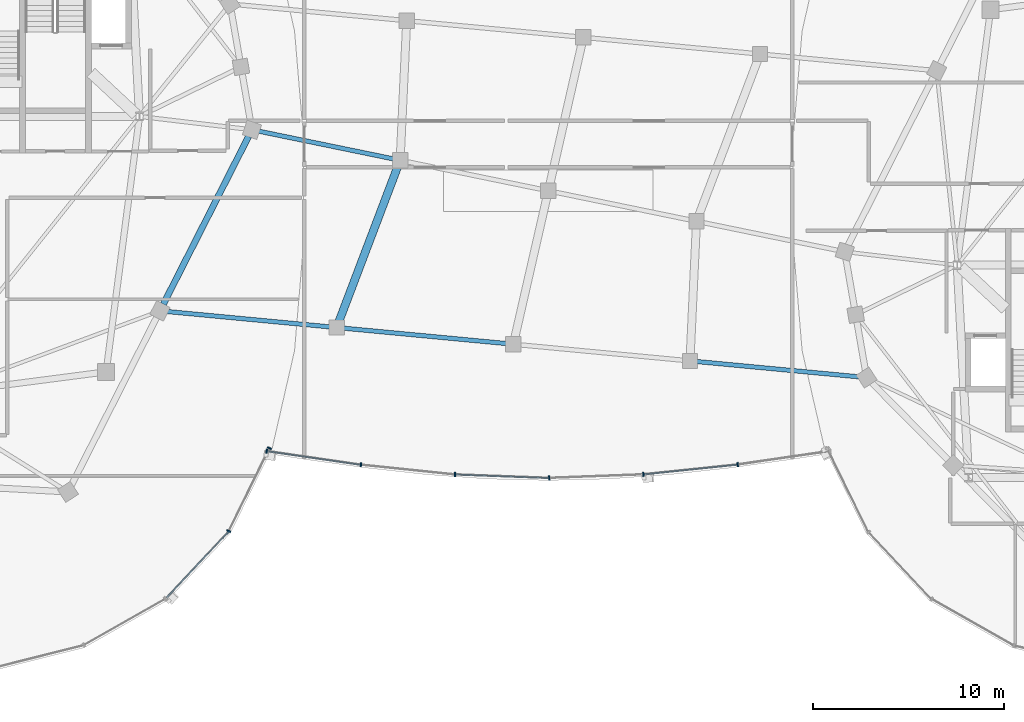
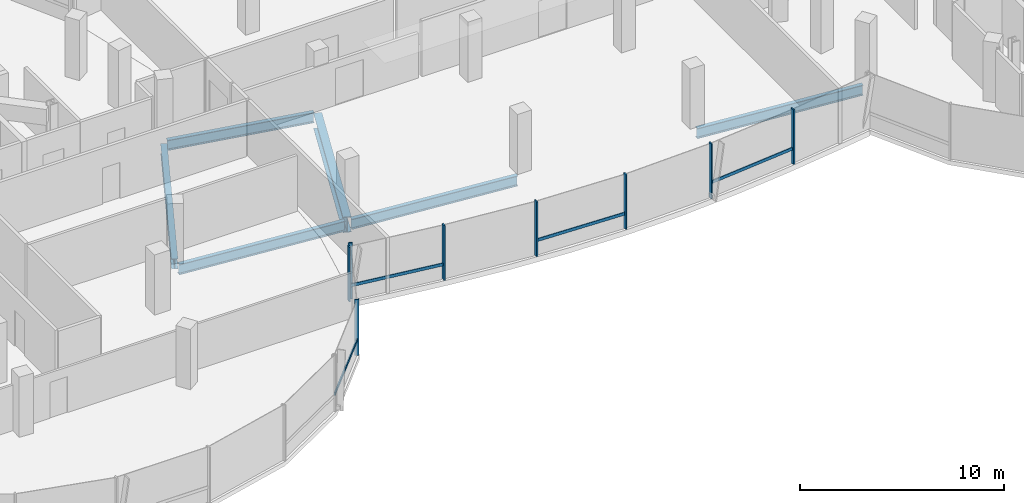
# One storey, part 4 of 26: 12 members, 6 beams, 2 elements without a shape of their own.
"""IFC4 building model written with IfcOpenShell, lengths in metres."""

from ifc_helpers import new_model, si_unit, direction, frame, origin, origin_2d, place, context, subcontext, project, spatial, rectangle, i_section, extrude, material, material_profile, profile_set, type_object, element, aggregate, save


model = new_model("IFC4")

# Units and contexts
model_context = context("Model", 3, precision=1e-05, world=origin(), true_north=direction((0.0, 1.0)))
body_context = subcontext(model_context, "Body", "Model", "MODEL_VIEW")
ifc_project = project(units=[si_unit("LENGTHUNIT", "METRE"), si_unit("AREAUNIT", "SQUARE_METRE"), si_unit("VOLUMEUNIT", "CUBIC_METRE"), si_unit("PLANEANGLEUNIT", "RADIAN"), si_unit("MASSUNIT", "GRAM", prefix="KILO"), si_unit("THERMODYNAMICTEMPERATUREUNIT", "KELVIN"), si_unit("POWERUNIT", "WATT")], contexts=[model_context])

# Site, building, storey
site_placement = place(None, origin())
site = spatial("IfcSite", under=ifc_project, at=site_placement, CompositionType="ELEMENT")
building_placement = place(site_placement, origin())
building = spatial("IfcBuilding", under=site, at=building_placement, Name="Cundina Bronze Exchange", CompositionType="ELEMENT")
storey_placement = place(building_placement, frame((0.0, 0.0, 264.800048828125)))
storey = spatial("IfcBuildingStorey", under=building, at=storey_placement, Name="L70", CompositionType="ELEMENT", Elevation=264.800048828125)

# Beams
ifc_material_1 = material(Name="Steel ASTM A992 Grade 50", Category="steel")
ifc_material_profile_1 = material_profile(ifc_material_1, i_section(OverallWidth=0.22998046875, OverallDepth=0.616943359375, WebThickness=0.01318359375, FlangeThickness=0.022216796875, FilletRadius=0.013916015625, at=origin_2d()), Name="W24X94", Category="steel")
ifc_profile_set_1 = profile_set([ifc_material_profile_1], Name="Steel ASTM A992 Grade 50")
beam_type_1 = type_object("IfcBeamType", Name="BM-FLR-W24B", PredefinedType="BEAM", material=ifc_profile_set_1)
for number, where, z_axis, x_axis, name in (
    (1, (-20.19580078125, -6.31689453125, -0.628662109375), (0.995572136276, -0.094000646124, 0.0), (0.094000646124, 0.995572136276, 0.0), "L70 Sky-Gate Longitudinal Girder Y1-P1"),
    (2, (-10.927001953125, -7.19189453125, -0.628662109375), (0.995572136276, -0.094000646124, 0.0), (0.094000646124, 0.995572136276, 0.0), "L70 Sky-Gate Longitudinal Girder Y1-P2"),
):
    element("IfcBeam", number, at=place(storey_placement, frame(where, z_axis=z_axis, x_axis=x_axis)), inside=storey, type_object=beam_type_1, Name=name, PredefinedType="BEAM", context=body_context, shape_type="SweptSolid", body=[
        extrude(i_section(OverallWidth=0.22998046875, OverallDepth=0.616943359375, WebThickness=0.01318359375, FlangeThickness=0.022216796875, FilletRadius=0.013916015625, at=origin_2d()), origin(), (0.0, 0.0, 1.0), 8.949951171875),
    ])
beam_1_placement = place(storey_placement, frame((7.610595703125, -8.94189453125, -0.628662109375), z_axis=(0.995571895232, -0.094003199007, 0.0), x_axis=(0.094003199007, 0.995571895232, 0.0)))
element("IfcBeam", 3, at=beam_1_placement, inside=storey, type_object=beam_type_1, Name="L70 Sky-Gate Longitudinal Girder Y1-P4", PredefinedType="BEAM", context=body_context, shape_type="SweptSolid", body=[
    extrude(i_section(OverallWidth=0.22998046875, OverallDepth=0.616943359375, WebThickness=0.01318359375, FlangeThickness=0.022216796875, FilletRadius=0.013916015625, at=origin_2d()), origin(), (0.0, 0.0, 1.0), 8.94970703125),
])
beam_2_placement = place(storey_placement, frame((-15.373779296875, 3.163818359375, -0.628662109375), z_axis=(0.979471264571, -0.20158383338, 0.0), x_axis=(0.20158383338, 0.979471264571, 0.0)))
element("IfcBeam", 4, at=beam_2_placement, inside=storey, type_object=beam_type_1, Name="L70 Sky-Gate Longitudinal Girder Y2-P1", PredefinedType="BEAM", context=body_context, shape_type="SweptSolid", body=[
    extrude(i_section(OverallWidth=0.22998046875, OverallDepth=0.616943359375, WebThickness=0.01318359375, FlangeThickness=0.022216796875, FilletRadius=0.013916015625, at=origin_2d()), origin(), (0.0, 0.0, 1.0), 7.577880859375),
])
ifc_material_profile_2 = material_profile(ifc_material_1, i_section(OverallWidth=0.324951171875, OverallDepth=0.615966796875, WebThickness=0.013916015625, FlangeThickness=0.021484375, FilletRadius=0.01611328125, at=origin_2d()), Name="W24X117", Category="steel")
ifc_profile_set_2 = profile_set([ifc_material_profile_2], Name="Steel ASTM A992 Grade 50")
beam_type_2 = type_object("IfcBeamType", Name="BM-RING-W24", PredefinedType="USERDEFINED", material=ifc_profile_set_2)
beam_3_placement = place(storey_placement, frame((-20.19921875, -5.9541015625, -0.568115234375), z_axis=(0.452839263805, 0.891592171991, 0.0), x_axis=(-0.891592171991, 0.452839263805, 0.0)))
element("IfcBeam", 5, at=beam_3_placement, inside=storey, type_object=beam_type_2, Name="L70 W Perimeter Ring Girder 13", ObjectType="GIRDER", PredefinedType="USERDEFINED", context=body_context, shape_type="SweptSolid", body=[
    extrude(i_section(OverallWidth=0.324951171875, OverallDepth=0.615966796875, WebThickness=0.013916015625, FlangeThickness=0.021484375, FilletRadius=0.01611328125, at=origin_2d()), origin(), (0.0, 0.0, 1.0), 9.879150390625),
])
ifc_material_profile_3 = material_profile(ifc_material_1, i_section(OverallWidth=0.41796875, OverallDepth=0.927001953125, WebThickness=0.019287109375, FlangeThickness=0.031982421875, FilletRadius=0.02392578125, at=origin_2d()), Name="W36X231", Category="steel")
ifc_profile_set_3 = profile_set([ifc_material_profile_3], Name="Steel ASTM A992 Grade 50")
beam_type_3 = type_object("IfcBeamType", Name="BM-WRN-W36B", PredefinedType="USERDEFINED", material=ifc_profile_set_3)
beam_4_placement = place(storey_placement, frame((-11.042236328125, -7.006591796875, -0.783447265625), z_axis=(0.354911890514, 0.934899753969, 0.0), x_axis=(-0.934899753969, 0.354911890514, 0.0)))
element("IfcBeam", 6, at=beam_4_placement, inside=storey, type_object=beam_type_3, Name="L70 Sky-Gate Transverse Girder X1-S", ObjectType="GIRDER", PredefinedType="USERDEFINED", context=body_context, shape_type="SweptSolid", body=[
    extrude(i_section(OverallWidth=0.41796875, OverallDepth=0.927001953125, WebThickness=0.019287109375, FlangeThickness=0.031982421875, FilletRadius=0.02392578125, at=origin_2d()), origin(), (0.0, 0.0, 1.0), 9.02587890625),
])

# Curtain wall, members
ifc_material_2 = material(Name="Anodised Bronze Aluminium 6063-T6", Category="aluminium")
curtain_wall_type = type_object("IfcCurtainWallType", Name="CWS-SKG-BRG", PredefinedType="NOTDEFINED", material=ifc_material_2)
curtain_wall_1_placement = place(storey_placement, origin())
curtain_wall_1 = element("IfcCurtainWall", 7, at=curtain_wall_1_placement, inside=storey, type_object=curtain_wall_type, Name="L70 CW-06 Curtain Wall Run CWR-L70-W4", PredefinedType="NOTDEFINED")
ifc_material_profile_4 = material_profile(ifc_material_2, rectangle(XDim=0.074951171875, YDim=0.219970703125, at=origin_2d()), Name="AL75X220", Category="aluminium")
ifc_profile_set_4 = profile_set([ifc_material_profile_4], Name="Anodised Bronze Aluminium 6063-T6")
member_type_1 = type_object("IfcMemberType", Name="CWM-MUL-220", PredefinedType="MULLION", material=ifc_profile_set_4)
member_1_placement = place(storey_placement, frame((-16.7666015625, -17.856689453125, 0.0), z_axis=(0.0, 0.0, 1.0), x_axis=(0.440566004113, 0.897720221461, 0.0)))
member_1 = element("IfcMember", 8, at=member_1_placement, type_object=member_type_1, Name="CW-06 Mullion 2", PredefinedType="MULLION", context=body_context, shape_type="SweptSolid", body=[
    extrude(rectangle(XDim=0.074951171875, YDim=0.219970703125, at=origin_2d()), origin(), (0.0, 0.0, 1.0), 3.33984375),
])
member_2_placement = place(storey_placement, frame((-14.630859375, -13.50390625, 0.0), z_axis=(0.0, 0.0, 1.0), x_axis=(0.440566004113, 0.897720221461, 0.0)))
member_2 = element("IfcMember", 9, at=member_2_placement, type_object=member_type_1, Name="CW-06 End Mullion", PredefinedType="MULLION", context=body_context, shape_type="SweptSolid", body=[
    extrude(rectangle(XDim=0.074951171875, YDim=0.219970703125, at=origin_2d()), origin(), (0.0, 0.0, 1.0), 3.33984375),
])

curtain_wall_2_placement = place(storey_placement, origin())
curtain_wall_2 = element("IfcCurtainWall", 10, at=curtain_wall_2_placement, inside=storey, type_object=curtain_wall_type, Name="L70 CW-06 Curtain Wall Run CWR-L70-BRGS", PredefinedType="NOTDEFINED")
member_3_placement = place(storey_placement, frame((-14.779296875, -13.658935546875, 0.0), z_axis=(0.0, 0.0, 1.0), x_axis=(0.989525789069, -0.144356201001, 0.0)))
member_3 = element("IfcMember", 11, at=member_3_placement, type_object=member_type_1, Name="CW-06 Mullion 1", PredefinedType="MULLION", context=body_context, shape_type="SweptSolid", body=[
    extrude(rectangle(XDim=0.074951171875, YDim=0.219970703125, at=origin_2d()), origin(), (0.0, 0.0, 1.0), 3.280029296875),
])
member_4_placement = place(storey_placement, frame((-9.83447265625, -14.378173828125, 0.0), z_axis=(0.0, 0.0, 1.0), x_axis=(0.994666875153, -0.103139747302, 0.0)))
member_4 = element("IfcMember", 12, at=member_4_placement, type_object=member_type_1, Name="CW-06 Mullion 2", PredefinedType="MULLION", context=body_context, shape_type="SweptSolid", body=[
    extrude(rectangle(XDim=0.074951171875, YDim=0.219970703125, at=origin_2d()), origin(), (0.0, 0.0, 1.0), 3.280029296875),
])
member_5_placement = place(storey_placement, frame((-4.892578125, -14.88720703125, 0.0), z_axis=(0.0, 0.0, 1.0), x_axis=(0.999302568116, -0.037341362551, 0.0)))
member_5 = element("IfcMember", 13, at=member_5_placement, type_object=member_type_1, Name="CW-06 Mullion 3", PredefinedType="MULLION", context=body_context, shape_type="SweptSolid", body=[
    extrude(rectangle(XDim=0.074951171875, YDim=0.219970703125, at=origin_2d()), origin(), (0.0, 0.0, 1.0), 3.280029296875),
])
member_6_placement = place(storey_placement, frame((0.047607421875, -15.068115234375, 0.0), z_axis=(0.0, 0.0, 1.0), x_axis=(0.999302568116, 0.037341362551, 0.0)))
member_6 = element("IfcMember", 14, at=member_6_placement, type_object=member_type_1, Name="CW-06 Mullion 4", PredefinedType="MULLION", context=body_context, shape_type="SweptSolid", body=[
    extrude(rectangle(XDim=0.074951171875, YDim=0.219970703125, at=origin_2d()), origin(), (0.0, 0.0, 1.0), 3.280029296875),
])
member_7_placement = place(storey_placement, frame((4.98876953125, -14.88037109375, 0.0), z_axis=(0.0, 0.0, 1.0), x_axis=(0.994666875153, 0.103139747302, 0.0)))
member_7 = element("IfcMember", 15, at=member_7_placement, type_object=member_type_1, Name="CW-06 Mullion 5", PredefinedType="MULLION", context=body_context, shape_type="SweptSolid", body=[
    extrude(rectangle(XDim=0.074951171875, YDim=0.219970703125, at=origin_2d()), origin(), (0.0, 0.0, 1.0), 3.280029296875),
])
member_8_placement = place(storey_placement, frame((9.93310546875, -14.36572265625, 0.0), z_axis=(0.0, 0.0, 1.0), x_axis=(0.989525789069, 0.144356201001, 0.0)))
member_8 = element("IfcMember", 16, at=member_8_placement, type_object=member_type_1, Name="CW-06 Mullion 6", PredefinedType="MULLION", context=body_context, shape_type="SweptSolid", body=[
    extrude(rectangle(XDim=0.074951171875, YDim=0.219970703125, at=origin_2d()), origin(), (0.0, 0.0, 1.0), 3.280029296875),
])

# Member
ifc_material_profile_5 = material_profile(ifc_material_2, rectangle(XDim=0.070068359375, YDim=0.179931640625, at=origin_2d()), Name="AL70X180", Category="aluminium")
ifc_profile_set_5 = profile_set([ifc_material_profile_5], Name="Anodised Bronze Aluminium 6063-T6")
member_type_2 = type_object("IfcMemberType", Name="CWM-TRN-180", PredefinedType="USERDEFINED", material=ifc_profile_set_5)
member_9_placement = place(storey_placement, frame((-20.031494140625, -21.349609375, 0.919921875), z_axis=(0.684328474899, 0.729173873944, 0.0), x_axis=(-0.729173873944, 0.684328474899, 0.0)))
member_9 = element("IfcMember", 17, at=member_9_placement, type_object=member_type_2, Name="CW-06 Spandrel Transom 1", ObjectType="TRANSOM", PredefinedType="USERDEFINED", context=body_context, shape_type="SweptSolid", body=[
    extrude(rectangle(XDim=0.070068359375, YDim=0.179931640625, at=origin_2d()), origin(), (0.0, 0.0, 1.0), 4.758056640625),
])

aggregate(curtain_wall_1, [member_9, member_1, member_2])

member_10_placement = place(storey_placement, frame((-14.738525390625, -13.664794921875, 0.91845703125), z_axis=(0.989531497997, -0.144317062302, 0.0), x_axis=(0.144317062302, 0.989531497997, 0.0)))
member_10 = element("IfcMember", 18, at=member_10_placement, type_object=member_type_2, Name="CW-06 Spandrel Transom 1", ObjectType="TRANSOM", PredefinedType="USERDEFINED", context=body_context, shape_type="SweptSolid", body=[
    extrude(rectangle(XDim=0.070068359375, YDim=0.179931640625, at=origin_2d()), origin(), (0.0, 0.0, 1.0), 4.8974609375),
])

member_11_placement = place(storey_placement, frame((-4.8515625, -14.888671875, 0.91845703125), z_axis=(0.999303683555, -0.037311500026, 0.0), x_axis=(0.037311500026, 0.999303683555, 0.0)))
member_11 = element("IfcMember", 19, at=member_11_placement, type_object=member_type_2, Name="CW-06 Spandrel Transom 3", ObjectType="TRANSOM", PredefinedType="USERDEFINED", context=body_context, shape_type="SweptSolid", body=[
    extrude(rectangle(XDim=0.070068359375, YDim=0.179931640625, at=origin_2d()), origin(), (0.0, 0.0, 1.0), 4.8486328125),
])

member_12_placement = place(storey_placement, frame((5.02978515625, -14.8759765625, 0.91845703125), z_axis=(0.994672497027, 0.103085516243, 0.0), x_axis=(-0.103085516243, 0.994672497027, 0.0)))
member_12 = element("IfcMember", 20, at=member_12_placement, type_object=member_type_2, Name="CW-06 Spandrel Transom 5", ObjectType="TRANSOM", PredefinedType="USERDEFINED", context=body_context, shape_type="SweptSolid", body=[
    extrude(rectangle(XDim=0.070068359375, YDim=0.179931640625, at=origin_2d()), origin(), (0.0, 0.0, 1.0), 4.87158203125),
])

aggregate(curtain_wall_2, [member_3, member_10, member_4, member_5, member_11, member_6, member_7, member_12, member_8])

save(model, "model.ifc")
